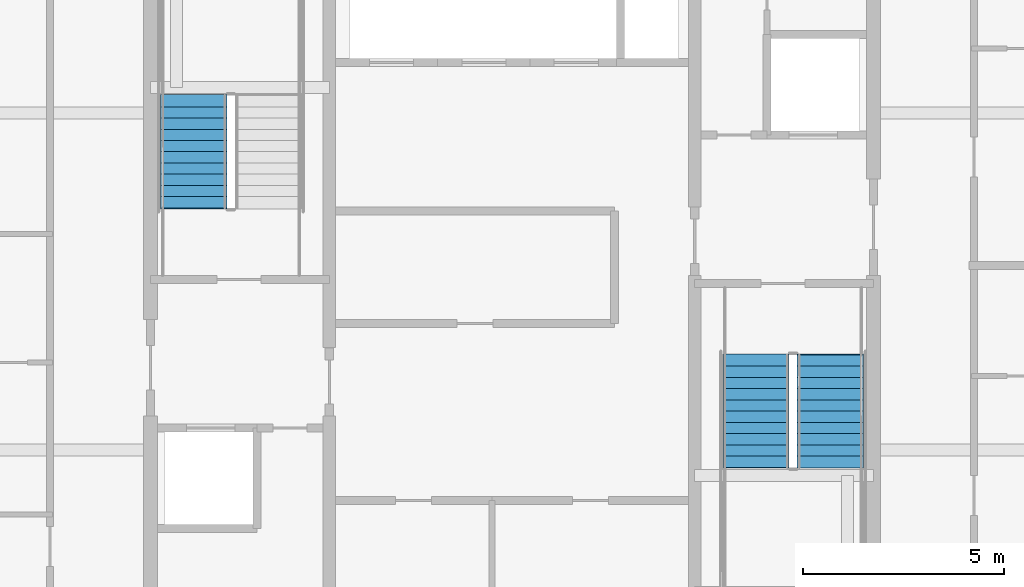
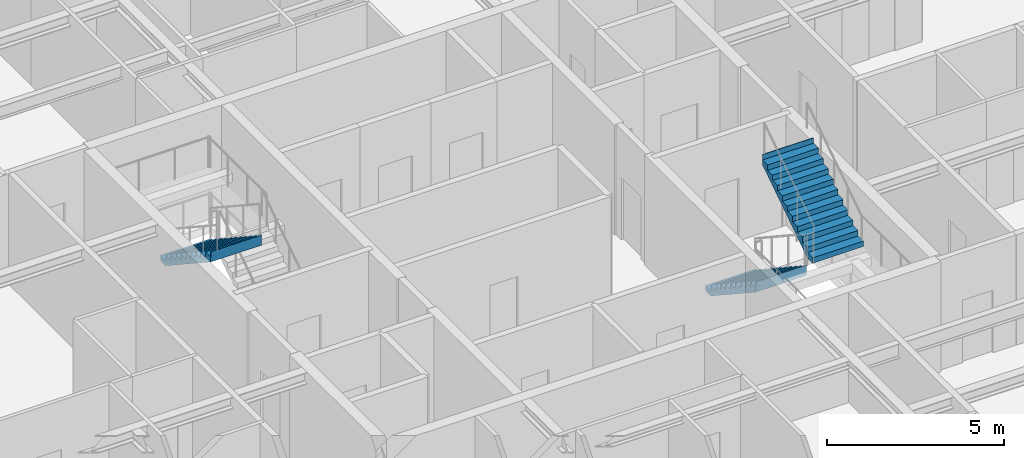
# One storey, part 36 of 42: 3 stair flights, 2 elements without a shape of their own.
"""IFC4 building model written with IfcOpenShell, lengths in metres."""

from ifc_helpers import new_model, si_unit, direction, frame, origin, place, context, subcontext, project, spatial, polygons, material, type_object, element, aggregate, save


model = new_model("IFC4")

# Units and contexts
model_context = context("Model", 3, precision=1e-05, world=origin(), true_north=direction((0.0, 1.0)))
body_context = subcontext(model_context, "Body", "Model", "MODEL_VIEW")
ifc_project = project(units=[si_unit("LENGTHUNIT", "METRE"), si_unit("AREAUNIT", "SQUARE_METRE"), si_unit("VOLUMEUNIT", "CUBIC_METRE"), si_unit("PLANEANGLEUNIT", "RADIAN"), si_unit("MASSUNIT", "GRAM", prefix="KILO")], contexts=[model_context])

# Site, building, storey
site_placement = place(None, origin())
site = spatial("IfcSite", under=ifc_project, at=site_placement, CompositionType="ELEMENT")
building_placement = place(site_placement, origin())
building = spatial("IfcBuilding", under=site, at=building_placement, Name="Serunith Strait Residences", CompositionType="ELEMENT")
storey_placement = place(building_placement, frame((0.0, 0.0, 309.64990234375)))
storey = spatial("IfcBuildingStorey", under=building, at=storey_placement, Name="L77", CompositionType="ELEMENT", Elevation=309.64990234375)

# Stair, stair flight
ifc_material = material(Name="Concrete C50/60", Category="concrete")
stair_type_1 = type_object("IfcStairType", Name="STR-CORE-1", PredefinedType="HALF_TURN_STAIR", material=ifc_material)
stair_1_placement = place(storey_placement, origin())
stair_1 = element("IfcStair", 1, at=stair_1_placement, inside=storey, type_object=stair_type_1, Name="L77 Protected Escape Stair ST-1", PredefinedType="HALF_TURN_STAIR")
stair_flight_type_1 = type_object("IfcStairFlightType", Name="FLT-CORE-1", PredefinedType="STRAIGHT", material=ifc_material)
stair_flight_1_placement = place(storey_placement, frame((24.47509765625, 29.830078125, 2.025146484375), z_axis=(0.0, 0.0, 1.0), x_axis=(0.0, -1.0, 0.0)))
stair_flight_1 = element("IfcStairFlight", 2, at=stair_flight_1_placement, type_object=stair_flight_type_1, Name="ST-1 flight 2", NumberOfRisers=11, NumberOfTreads=10, PredefinedType="STRAIGHT", RiserHeight=0.184090909, TreadLength=0.28, context=body_context, shape_type="Tessellation", body=[
    polygons([(-0.02001953125, -0.824951171875, 0.0), (-0.02001953125, -0.824951171875, 0.18408203125), (0.280029296875, -0.824951171875, 0.18408203125), (0.280029296875, -0.824951171875, 0.3681640625), (0.56005859375, -0.824951171875, 0.3681640625), (0.56005859375, -0.824951171875, 0.55224609375), (0.840087890625, -0.824951171875, 0.55224609375), (0.840087890625, -0.824951171875, 0.736328125), (1.1201171875, -0.824951171875, 0.736328125), (1.1201171875, -0.824951171875, 0.92041015625), (1.39990234375, -0.824951171875, 0.92041015625), (1.39990234375, -0.824951171875, 1.1044921875), (1.679931640625, -0.824951171875, 1.1044921875), (1.679931640625, -0.824951171875, 1.28857421875), (1.9599609375, -0.824951171875, 1.28857421875), (1.9599609375, -0.824951171875, 1.47265625), (2.239990234375, -0.824951171875, 1.47265625), (2.239990234375, -0.824951171875, 1.65673828125), (2.52001953125, -0.824951171875, 1.65673828125), (2.52001953125, -0.824951171875, 1.8408203125), (2.800048828125, -0.824951171875, 1.8408203125), (2.800048828125, -0.824951171875, 2.02490234375), (2.820068359375, -0.824951171875, 2.02490234375), (2.820068359375, -0.824951171875, 1.965087890625), (2.800048828125, -0.824951171875, 1.66162109375), (0.27294921875, -0.824951171875, 0.0), (-0.02001953125, -0.41259765625, 0.0), (-0.02001953125, -0.41259765625, 0.18408203125), (0.280029296875, -0.41259765625, 0.18408203125), (0.280029296875, -0.41259765625, 0.3681640625), (0.56005859375, -0.41259765625, 0.3681640625), (0.56005859375, -0.41259765625, 0.55224609375), (0.840087890625, -0.41259765625, 0.55224609375), (0.840087890625, -0.41259765625, 0.736328125), (1.1201171875, -0.41259765625, 0.736328125), (1.1201171875, -0.41259765625, 0.92041015625), (1.39990234375, -0.41259765625, 0.92041015625), (1.39990234375, -0.41259765625, 1.1044921875), (1.679931640625, -0.41259765625, 1.1044921875), (1.679931640625, -0.41259765625, 1.28857421875), (1.9599609375, -0.41259765625, 1.28857421875), (1.9599609375, -0.41259765625, 1.47265625), (2.239990234375, -0.41259765625, 1.47265625), (2.239990234375, -0.41259765625, 1.65673828125), (2.52001953125, -0.41259765625, 1.65673828125), (2.52001953125, -0.41259765625, 1.8408203125), (2.800048828125, -0.41259765625, 1.8408203125), (2.800048828125, -0.41259765625, 2.02490234375), (2.820068359375, -0.41259765625, 2.02490234375), (2.820068359375, -0.41259765625, 1.965087890625), (2.800048828125, -0.41259765625, 1.66162109375), (0.27294921875, -0.41259765625, 0.0), (-0.02001953125, 0.0, 0.0), (-0.02001953125, 0.0, 0.18408203125), (0.280029296875, 0.0, 0.18408203125), (0.280029296875, 0.0, 0.3681640625), (0.56005859375, 0.0, 0.3681640625), (0.56005859375, 0.0, 0.55224609375), (0.840087890625, 0.0, 0.55224609375), (0.840087890625, 0.0, 0.736328125), (1.1201171875, 0.0, 0.736328125), (1.1201171875, 0.0, 0.92041015625), (1.39990234375, 0.0, 0.92041015625), (1.39990234375, 0.0, 1.1044921875), (1.679931640625, 0.0, 1.1044921875), (1.679931640625, 0.0, 1.28857421875), (1.9599609375, 0.0, 1.28857421875), (1.9599609375, 0.0, 1.47265625), (2.239990234375, 0.0, 1.47265625), (2.239990234375, 0.0, 1.65673828125), (2.52001953125, 0.0, 1.65673828125), (2.52001953125, 0.0, 1.8408203125), (2.800048828125, 0.0, 1.8408203125), (2.800048828125, 0.0, 2.02490234375), (2.820068359375, 0.0, 2.02490234375), (2.820068359375, 0.0, 1.965087890625), (2.800048828125, 0.0, 1.66162109375), (0.27294921875, 0.0, 0.0), (-0.02001953125, 0.41259765625, 0.0), (-0.02001953125, 0.41259765625, 0.18408203125), (0.280029296875, 0.41259765625, 0.18408203125), (0.280029296875, 0.41259765625, 0.3681640625), (0.56005859375, 0.41259765625, 0.3681640625), (0.56005859375, 0.41259765625, 0.55224609375), (0.840087890625, 0.41259765625, 0.55224609375), (0.840087890625, 0.41259765625, 0.736328125), (1.1201171875, 0.41259765625, 0.736328125), (1.1201171875, 0.41259765625, 0.92041015625), (1.39990234375, 0.41259765625, 0.92041015625), (1.39990234375, 0.41259765625, 1.1044921875), (1.679931640625, 0.41259765625, 1.1044921875), (1.679931640625, 0.41259765625, 1.28857421875), (1.9599609375, 0.41259765625, 1.28857421875), (1.9599609375, 0.41259765625, 1.47265625), (2.239990234375, 0.41259765625, 1.47265625), (2.239990234375, 0.41259765625, 1.65673828125), (2.52001953125, 0.41259765625, 1.65673828125), (2.52001953125, 0.41259765625, 1.8408203125), (2.800048828125, 0.41259765625, 1.8408203125), (2.800048828125, 0.41259765625, 2.02490234375), (2.820068359375, 0.41259765625, 2.02490234375), (2.820068359375, 0.41259765625, 1.965087890625), (2.800048828125, 0.41259765625, 1.66162109375), (0.27294921875, 0.41259765625, 0.0), (-0.02001953125, 0.824951171875, 0.0), (-0.02001953125, 0.824951171875, 0.18408203125), (0.280029296875, 0.824951171875, 0.18408203125), (0.280029296875, 0.824951171875, 0.3681640625), (0.56005859375, 0.824951171875, 0.3681640625), (0.56005859375, 0.824951171875, 0.55224609375), (0.840087890625, 0.824951171875, 0.55224609375), (0.840087890625, 0.824951171875, 0.736328125), (1.1201171875, 0.824951171875, 0.736328125), (1.1201171875, 0.824951171875, 0.92041015625), (1.39990234375, 0.824951171875, 0.92041015625), (1.39990234375, 0.824951171875, 1.1044921875), (1.679931640625, 0.824951171875, 1.1044921875), (1.679931640625, 0.824951171875, 1.28857421875), (1.9599609375, 0.824951171875, 1.28857421875), (1.9599609375, 0.824951171875, 1.47265625), (2.239990234375, 0.824951171875, 1.47265625), (2.239990234375, 0.824951171875, 1.65673828125), (2.52001953125, 0.824951171875, 1.65673828125), (2.52001953125, 0.824951171875, 1.8408203125), (2.800048828125, 0.824951171875, 1.8408203125), (2.800048828125, 0.824951171875, 2.02490234375), (2.820068359375, 0.824951171875, 2.02490234375), (2.820068359375, 0.824951171875, 1.965087890625), (2.800048828125, 0.824951171875, 1.66162109375), (0.27294921875, 0.824951171875, 0.0)], [[[1, 2, 28, 27]], [[2, 3, 29, 28]], [[3, 4, 30, 29]], [[4, 5, 31, 30]], [[5, 6, 32, 31]], [[6, 7, 33, 32]], [[7, 8, 34, 33]], [[8, 9, 35, 34]], [[9, 10, 36, 35]], [[10, 11, 37, 36]], [[11, 12, 38, 37]], [[12, 13, 39, 38]], [[13, 14, 40, 39]], [[14, 15, 41, 40]], [[15, 16, 42, 41]], [[16, 17, 43, 42]], [[17, 18, 44, 43]], [[18, 19, 45, 44]], [[19, 20, 46, 45]], [[20, 21, 47, 46]], [[21, 22, 48, 47]], [[22, 23, 49, 48]], [[23, 24, 50, 49]], [[24, 25, 51, 50]], [[25, 26, 52, 51]], [[26, 1, 27, 52]], [[27, 28, 54, 53]], [[28, 29, 55, 54]], [[29, 30, 56, 55]], [[30, 31, 57, 56]], [[31, 32, 58, 57]], [[32, 33, 59, 58]], [[33, 34, 60, 59]], [[34, 35, 61, 60]], [[35, 36, 62, 61]], [[36, 37, 63, 62]], [[37, 38, 64, 63]], [[38, 39, 65, 64]], [[39, 40, 66, 65]], [[40, 41, 67, 66]], [[41, 42, 68, 67]], [[42, 43, 69, 68]], [[43, 44, 70, 69]], [[44, 45, 71, 70]], [[45, 46, 72, 71]], [[46, 47, 73, 72]], [[47, 48, 74, 73]], [[48, 49, 75, 74]], [[49, 50, 76, 75]], [[50, 51, 77, 76]], [[51, 52, 78, 77]], [[52, 27, 53, 78]], [[53, 54, 80, 79]], [[54, 55, 81, 80]], [[55, 56, 82, 81]], [[56, 57, 83, 82]], [[57, 58, 84, 83]], [[58, 59, 85, 84]], [[59, 60, 86, 85]], [[60, 61, 87, 86]], [[61, 62, 88, 87]], [[62, 63, 89, 88]], [[63, 64, 90, 89]], [[64, 65, 91, 90]], [[65, 66, 92, 91]], [[66, 67, 93, 92]], [[67, 68, 94, 93]], [[68, 69, 95, 94]], [[69, 70, 96, 95]], [[70, 71, 97, 96]], [[71, 72, 98, 97]], [[72, 73, 99, 98]], [[73, 74, 100, 99]], [[74, 75, 101, 100]], [[75, 76, 102, 101]], [[76, 77, 103, 102]], [[77, 78, 104, 103]], [[78, 53, 79, 104]], [[79, 80, 106, 105]], [[80, 81, 107, 106]], [[81, 82, 108, 107]], [[82, 83, 109, 108]], [[83, 84, 110, 109]], [[84, 85, 111, 110]], [[85, 86, 112, 111]], [[86, 87, 113, 112]], [[87, 88, 114, 113]], [[88, 89, 115, 114]], [[89, 90, 116, 115]], [[90, 91, 117, 116]], [[91, 92, 118, 117]], [[92, 93, 119, 118]], [[93, 94, 120, 119]], [[94, 95, 121, 120]], [[95, 96, 122, 121]], [[96, 97, 123, 122]], [[97, 98, 124, 123]], [[98, 99, 125, 124]], [[99, 100, 126, 125]], [[100, 101, 127, 126]], [[101, 102, 128, 127]], [[102, 103, 129, 128]], [[103, 104, 130, 129]], [[104, 79, 105, 130]], [[26, 25, 24, 23, 22, 21, 20, 19, 18, 17, 16, 15, 14, 13, 12, 11, 10, 9, 8, 7, 6, 5, 4, 3, 2, 1]], [[105, 106, 107, 108, 109, 110, 111, 112, 113, 114, 115, 116, 117, 118, 119, 120, 121, 122, 123, 124, 125, 126, 127, 128, 129, 130]]], closed=True),
])
aggregate(stair_1, [stair_flight_1])

# Stair, stair flights
stair_type_2 = type_object("IfcStairType", Name="STR-CORE-2", PredefinedType="HALF_TURN_STAIR", material=ifc_material)
stair_2_placement = place(storey_placement, origin())
stair_2 = element("IfcStair", 3, at=stair_2_placement, inside=storey, type_object=stair_type_2, Name="L77 Protected Escape Stair ST-2", PredefinedType="HALF_TURN_STAIR")
stair_flight_type_2 = type_object("IfcStairFlightType", Name="FLT-CORE-2", PredefinedType="STRAIGHT", material=ifc_material)
stair_flight_2_placement = place(storey_placement, frame((38.47509765625, 23.3701171875, 0.0), z_axis=(0.0, 0.0, 1.0), x_axis=(0.0, -1.0, 0.0)))
stair_flight_2 = element("IfcStairFlight", 4, at=stair_flight_2_placement, type_object=stair_flight_type_2, Name="ST-2 flight 1", NumberOfRisers=11, NumberOfTreads=10, PredefinedType="STRAIGHT", RiserHeight=0.184090909, TreadLength=0.28, context=body_context, shape_type="Tessellation", body=[
    polygons([(-0.02001953125, -0.824951171875, 0.0), (-0.02001953125, -0.824951171875, 0.18408203125), (0.280029296875, -0.824951171875, 0.18408203125), (0.280029296875, -0.824951171875, 0.3681640625), (0.56005859375, -0.824951171875, 0.3681640625), (0.56005859375, -0.824951171875, 0.55224609375), (0.840087890625, -0.824951171875, 0.55224609375), (0.840087890625, -0.824951171875, 0.736328125), (1.1201171875, -0.824951171875, 0.736328125), (1.1201171875, -0.824951171875, 0.92041015625), (1.39990234375, -0.824951171875, 0.92041015625), (1.39990234375, -0.824951171875, 1.1044921875), (1.679931640625, -0.824951171875, 1.1044921875), (1.679931640625, -0.824951171875, 1.28857421875), (1.9599609375, -0.824951171875, 1.28857421875), (1.9599609375, -0.824951171875, 1.47265625), (2.239990234375, -0.824951171875, 1.47265625), (2.239990234375, -0.824951171875, 1.65673828125), (2.52001953125, -0.824951171875, 1.65673828125), (2.52001953125, -0.824951171875, 1.8408203125), (2.800048828125, -0.824951171875, 1.8408203125), (2.800048828125, -0.824951171875, 2.02490234375), (2.820068359375, -0.824951171875, 2.02490234375), (2.820068359375, -0.824951171875, 1.965087890625), (2.800048828125, -0.824951171875, 1.66162109375), (0.27294921875, -0.824951171875, 0.0), (-0.02001953125, -0.41259765625, 0.0), (-0.02001953125, -0.41259765625, 0.18408203125), (0.280029296875, -0.41259765625, 0.18408203125), (0.280029296875, -0.41259765625, 0.3681640625), (0.56005859375, -0.41259765625, 0.3681640625), (0.56005859375, -0.41259765625, 0.55224609375), (0.840087890625, -0.41259765625, 0.55224609375), (0.840087890625, -0.41259765625, 0.736328125), (1.1201171875, -0.41259765625, 0.736328125), (1.1201171875, -0.41259765625, 0.92041015625), (1.39990234375, -0.41259765625, 0.92041015625), (1.39990234375, -0.41259765625, 1.1044921875), (1.679931640625, -0.41259765625, 1.1044921875), (1.679931640625, -0.41259765625, 1.28857421875), (1.9599609375, -0.41259765625, 1.28857421875), (1.9599609375, -0.41259765625, 1.47265625), (2.239990234375, -0.41259765625, 1.47265625), (2.239990234375, -0.41259765625, 1.65673828125), (2.52001953125, -0.41259765625, 1.65673828125), (2.52001953125, -0.41259765625, 1.8408203125), (2.800048828125, -0.41259765625, 1.8408203125), (2.800048828125, -0.41259765625, 2.02490234375), (2.820068359375, -0.41259765625, 2.02490234375), (2.820068359375, -0.41259765625, 1.965087890625), (2.800048828125, -0.41259765625, 1.66162109375), (0.27294921875, -0.41259765625, 0.0), (-0.02001953125, 0.0, 0.0), (-0.02001953125, 0.0, 0.18408203125), (0.280029296875, 0.0, 0.18408203125), (0.280029296875, 0.0, 0.3681640625), (0.56005859375, 0.0, 0.3681640625), (0.56005859375, 0.0, 0.55224609375), (0.840087890625, 0.0, 0.55224609375), (0.840087890625, 0.0, 0.736328125), (1.1201171875, 0.0, 0.736328125), (1.1201171875, 0.0, 0.92041015625), (1.39990234375, 0.0, 0.92041015625), (1.39990234375, 0.0, 1.1044921875), (1.679931640625, 0.0, 1.1044921875), (1.679931640625, 0.0, 1.28857421875), (1.9599609375, 0.0, 1.28857421875), (1.9599609375, 0.0, 1.47265625), (2.239990234375, 0.0, 1.47265625), (2.239990234375, 0.0, 1.65673828125), (2.52001953125, 0.0, 1.65673828125), (2.52001953125, 0.0, 1.8408203125), (2.800048828125, 0.0, 1.8408203125), (2.800048828125, 0.0, 2.02490234375), (2.820068359375, 0.0, 2.02490234375), (2.820068359375, 0.0, 1.965087890625), (2.800048828125, 0.0, 1.66162109375), (0.27294921875, 0.0, 0.0), (-0.02001953125, 0.41259765625, 0.0), (-0.02001953125, 0.41259765625, 0.18408203125), (0.280029296875, 0.41259765625, 0.18408203125), (0.280029296875, 0.41259765625, 0.3681640625), (0.56005859375, 0.41259765625, 0.3681640625), (0.56005859375, 0.41259765625, 0.55224609375), (0.840087890625, 0.41259765625, 0.55224609375), (0.840087890625, 0.41259765625, 0.736328125), (1.1201171875, 0.41259765625, 0.736328125), (1.1201171875, 0.41259765625, 0.92041015625), (1.39990234375, 0.41259765625, 0.92041015625), (1.39990234375, 0.41259765625, 1.1044921875), (1.679931640625, 0.41259765625, 1.1044921875), (1.679931640625, 0.41259765625, 1.28857421875), (1.9599609375, 0.41259765625, 1.28857421875), (1.9599609375, 0.41259765625, 1.47265625), (2.239990234375, 0.41259765625, 1.47265625), (2.239990234375, 0.41259765625, 1.65673828125), (2.52001953125, 0.41259765625, 1.65673828125), (2.52001953125, 0.41259765625, 1.8408203125), (2.800048828125, 0.41259765625, 1.8408203125), (2.800048828125, 0.41259765625, 2.02490234375), (2.820068359375, 0.41259765625, 2.02490234375), (2.820068359375, 0.41259765625, 1.965087890625), (2.800048828125, 0.41259765625, 1.66162109375), (0.27294921875, 0.41259765625, 0.0), (-0.02001953125, 0.824951171875, 0.0), (-0.02001953125, 0.824951171875, 0.18408203125), (0.280029296875, 0.824951171875, 0.18408203125), (0.280029296875, 0.824951171875, 0.3681640625), (0.56005859375, 0.824951171875, 0.3681640625), (0.56005859375, 0.824951171875, 0.55224609375), (0.840087890625, 0.824951171875, 0.55224609375), (0.840087890625, 0.824951171875, 0.736328125), (1.1201171875, 0.824951171875, 0.736328125), (1.1201171875, 0.824951171875, 0.92041015625), (1.39990234375, 0.824951171875, 0.92041015625), (1.39990234375, 0.824951171875, 1.1044921875), (1.679931640625, 0.824951171875, 1.1044921875), (1.679931640625, 0.824951171875, 1.28857421875), (1.9599609375, 0.824951171875, 1.28857421875), (1.9599609375, 0.824951171875, 1.47265625), (2.239990234375, 0.824951171875, 1.47265625), (2.239990234375, 0.824951171875, 1.65673828125), (2.52001953125, 0.824951171875, 1.65673828125), (2.52001953125, 0.824951171875, 1.8408203125), (2.800048828125, 0.824951171875, 1.8408203125), (2.800048828125, 0.824951171875, 2.02490234375), (2.820068359375, 0.824951171875, 2.02490234375), (2.820068359375, 0.824951171875, 1.965087890625), (2.800048828125, 0.824951171875, 1.66162109375), (0.27294921875, 0.824951171875, 0.0)], [[[1, 2, 28, 27]], [[2, 3, 29, 28]], [[3, 4, 30, 29]], [[4, 5, 31, 30]], [[5, 6, 32, 31]], [[6, 7, 33, 32]], [[7, 8, 34, 33]], [[8, 9, 35, 34]], [[9, 10, 36, 35]], [[10, 11, 37, 36]], [[11, 12, 38, 37]], [[12, 13, 39, 38]], [[13, 14, 40, 39]], [[14, 15, 41, 40]], [[15, 16, 42, 41]], [[16, 17, 43, 42]], [[17, 18, 44, 43]], [[18, 19, 45, 44]], [[19, 20, 46, 45]], [[20, 21, 47, 46]], [[21, 22, 48, 47]], [[22, 23, 49, 48]], [[23, 24, 50, 49]], [[24, 25, 51, 50]], [[25, 26, 52, 51]], [[26, 1, 27, 52]], [[27, 28, 54, 53]], [[28, 29, 55, 54]], [[29, 30, 56, 55]], [[30, 31, 57, 56]], [[31, 32, 58, 57]], [[32, 33, 59, 58]], [[33, 34, 60, 59]], [[34, 35, 61, 60]], [[35, 36, 62, 61]], [[36, 37, 63, 62]], [[37, 38, 64, 63]], [[38, 39, 65, 64]], [[39, 40, 66, 65]], [[40, 41, 67, 66]], [[41, 42, 68, 67]], [[42, 43, 69, 68]], [[43, 44, 70, 69]], [[44, 45, 71, 70]], [[45, 46, 72, 71]], [[46, 47, 73, 72]], [[47, 48, 74, 73]], [[48, 49, 75, 74]], [[49, 50, 76, 75]], [[50, 51, 77, 76]], [[51, 52, 78, 77]], [[52, 27, 53, 78]], [[53, 54, 80, 79]], [[54, 55, 81, 80]], [[55, 56, 82, 81]], [[56, 57, 83, 82]], [[57, 58, 84, 83]], [[58, 59, 85, 84]], [[59, 60, 86, 85]], [[60, 61, 87, 86]], [[61, 62, 88, 87]], [[62, 63, 89, 88]], [[63, 64, 90, 89]], [[64, 65, 91, 90]], [[65, 66, 92, 91]], [[66, 67, 93, 92]], [[67, 68, 94, 93]], [[68, 69, 95, 94]], [[69, 70, 96, 95]], [[70, 71, 97, 96]], [[71, 72, 98, 97]], [[72, 73, 99, 98]], [[73, 74, 100, 99]], [[74, 75, 101, 100]], [[75, 76, 102, 101]], [[76, 77, 103, 102]], [[77, 78, 104, 103]], [[78, 53, 79, 104]], [[79, 80, 106, 105]], [[80, 81, 107, 106]], [[81, 82, 108, 107]], [[82, 83, 109, 108]], [[83, 84, 110, 109]], [[84, 85, 111, 110]], [[85, 86, 112, 111]], [[86, 87, 113, 112]], [[87, 88, 114, 113]], [[88, 89, 115, 114]], [[89, 90, 116, 115]], [[90, 91, 117, 116]], [[91, 92, 118, 117]], [[92, 93, 119, 118]], [[93, 94, 120, 119]], [[94, 95, 121, 120]], [[95, 96, 122, 121]], [[96, 97, 123, 122]], [[97, 98, 124, 123]], [[98, 99, 125, 124]], [[99, 100, 126, 125]], [[100, 101, 127, 126]], [[101, 102, 128, 127]], [[102, 103, 129, 128]], [[103, 104, 130, 129]], [[104, 79, 105, 130]], [[26, 25, 24, 23, 22, 21, 20, 19, 18, 17, 16, 15, 14, 13, 12, 11, 10, 9, 8, 7, 6, 5, 4, 3, 2, 1]], [[105, 106, 107, 108, 109, 110, 111, 112, 113, 114, 115, 116, 117, 118, 119, 120, 121, 122, 123, 124, 125, 126, 127, 128, 129, 130]]], closed=True),
])
stair_flight_3_placement = place(storey_placement, frame((40.324951171875, 20.570068359375, 2.025146484375), z_axis=(0.0, 0.0, 1.0), x_axis=(0.0, 1.0, 0.0)))
stair_flight_3 = element("IfcStairFlight", 5, at=stair_flight_3_placement, type_object=stair_flight_type_2, Name="ST-2 flight 2", NumberOfRisers=11, NumberOfTreads=10, PredefinedType="STRAIGHT", RiserHeight=0.184090909, TreadLength=0.28, context=body_context, shape_type="Tessellation", body=[
    polygons([(-0.02001953125, -0.824951171875, 0.0), (-0.02001953125, -0.824951171875, 0.18408203125), (0.280029296875, -0.824951171875, 0.18408203125), (0.280029296875, -0.824951171875, 0.3681640625), (0.56005859375, -0.824951171875, 0.3681640625), (0.56005859375, -0.824951171875, 0.55224609375), (0.840087890625, -0.824951171875, 0.55224609375), (0.840087890625, -0.824951171875, 0.736328125), (1.1201171875, -0.824951171875, 0.736328125), (1.1201171875, -0.824951171875, 0.92041015625), (1.39990234375, -0.824951171875, 0.92041015625), (1.39990234375, -0.824951171875, 1.1044921875), (1.679931640625, -0.824951171875, 1.1044921875), (1.679931640625, -0.824951171875, 1.28857421875), (1.9599609375, -0.824951171875, 1.28857421875), (1.9599609375, -0.824951171875, 1.47265625), (2.239990234375, -0.824951171875, 1.47265625), (2.239990234375, -0.824951171875, 1.65673828125), (2.52001953125, -0.824951171875, 1.65673828125), (2.52001953125, -0.824951171875, 1.8408203125), (2.800048828125, -0.824951171875, 1.8408203125), (2.800048828125, -0.824951171875, 2.02490234375), (2.820068359375, -0.824951171875, 2.02490234375), (2.820068359375, -0.824951171875, 1.965087890625), (2.800048828125, -0.824951171875, 1.66162109375), (0.27294921875, -0.824951171875, 0.0), (-0.02001953125, -0.41259765625, 0.0), (-0.02001953125, -0.41259765625, 0.18408203125), (0.280029296875, -0.41259765625, 0.18408203125), (0.280029296875, -0.41259765625, 0.3681640625), (0.56005859375, -0.41259765625, 0.3681640625), (0.56005859375, -0.41259765625, 0.55224609375), (0.840087890625, -0.41259765625, 0.55224609375), (0.840087890625, -0.41259765625, 0.736328125), (1.1201171875, -0.41259765625, 0.736328125), (1.1201171875, -0.41259765625, 0.92041015625), (1.39990234375, -0.41259765625, 0.92041015625), (1.39990234375, -0.41259765625, 1.1044921875), (1.679931640625, -0.41259765625, 1.1044921875), (1.679931640625, -0.41259765625, 1.28857421875), (1.9599609375, -0.41259765625, 1.28857421875), (1.9599609375, -0.41259765625, 1.47265625), (2.239990234375, -0.41259765625, 1.47265625), (2.239990234375, -0.41259765625, 1.65673828125), (2.52001953125, -0.41259765625, 1.65673828125), (2.52001953125, -0.41259765625, 1.8408203125), (2.800048828125, -0.41259765625, 1.8408203125), (2.800048828125, -0.41259765625, 2.02490234375), (2.820068359375, -0.41259765625, 2.02490234375), (2.820068359375, -0.41259765625, 1.965087890625), (2.800048828125, -0.41259765625, 1.66162109375), (0.27294921875, -0.41259765625, 0.0), (-0.02001953125, 0.0, 0.0), (-0.02001953125, 0.0, 0.18408203125), (0.280029296875, 0.0, 0.18408203125), (0.280029296875, 0.0, 0.3681640625), (0.56005859375, 0.0, 0.3681640625), (0.56005859375, 0.0, 0.55224609375), (0.840087890625, 0.0, 0.55224609375), (0.840087890625, 0.0, 0.736328125), (1.1201171875, 0.0, 0.736328125), (1.1201171875, 0.0, 0.92041015625), (1.39990234375, 0.0, 0.92041015625), (1.39990234375, 0.0, 1.1044921875), (1.679931640625, 0.0, 1.1044921875), (1.679931640625, 0.0, 1.28857421875), (1.9599609375, 0.0, 1.28857421875), (1.9599609375, 0.0, 1.47265625), (2.239990234375, 0.0, 1.47265625), (2.239990234375, 0.0, 1.65673828125), (2.52001953125, 0.0, 1.65673828125), (2.52001953125, 0.0, 1.8408203125), (2.800048828125, 0.0, 1.8408203125), (2.800048828125, 0.0, 2.02490234375), (2.820068359375, 0.0, 2.02490234375), (2.820068359375, 0.0, 1.965087890625), (2.800048828125, 0.0, 1.66162109375), (0.27294921875, 0.0, 0.0), (-0.02001953125, 0.41259765625, 0.0), (-0.02001953125, 0.41259765625, 0.18408203125), (0.280029296875, 0.41259765625, 0.18408203125), (0.280029296875, 0.41259765625, 0.3681640625), (0.56005859375, 0.41259765625, 0.3681640625), (0.56005859375, 0.41259765625, 0.55224609375), (0.840087890625, 0.41259765625, 0.55224609375), (0.840087890625, 0.41259765625, 0.736328125), (1.1201171875, 0.41259765625, 0.736328125), (1.1201171875, 0.41259765625, 0.92041015625), (1.39990234375, 0.41259765625, 0.92041015625), (1.39990234375, 0.41259765625, 1.1044921875), (1.679931640625, 0.41259765625, 1.1044921875), (1.679931640625, 0.41259765625, 1.28857421875), (1.9599609375, 0.41259765625, 1.28857421875), (1.9599609375, 0.41259765625, 1.47265625), (2.239990234375, 0.41259765625, 1.47265625), (2.239990234375, 0.41259765625, 1.65673828125), (2.52001953125, 0.41259765625, 1.65673828125), (2.52001953125, 0.41259765625, 1.8408203125), (2.800048828125, 0.41259765625, 1.8408203125), (2.800048828125, 0.41259765625, 2.02490234375), (2.820068359375, 0.41259765625, 2.02490234375), (2.820068359375, 0.41259765625, 1.965087890625), (2.800048828125, 0.41259765625, 1.66162109375), (0.27294921875, 0.41259765625, 0.0), (-0.02001953125, 0.824951171875, 0.0), (-0.02001953125, 0.824951171875, 0.18408203125), (0.280029296875, 0.824951171875, 0.18408203125), (0.280029296875, 0.824951171875, 0.3681640625), (0.56005859375, 0.824951171875, 0.3681640625), (0.56005859375, 0.824951171875, 0.55224609375), (0.840087890625, 0.824951171875, 0.55224609375), (0.840087890625, 0.824951171875, 0.736328125), (1.1201171875, 0.824951171875, 0.736328125), (1.1201171875, 0.824951171875, 0.92041015625), (1.39990234375, 0.824951171875, 0.92041015625), (1.39990234375, 0.824951171875, 1.1044921875), (1.679931640625, 0.824951171875, 1.1044921875), (1.679931640625, 0.824951171875, 1.28857421875), (1.9599609375, 0.824951171875, 1.28857421875), (1.9599609375, 0.824951171875, 1.47265625), (2.239990234375, 0.824951171875, 1.47265625), (2.239990234375, 0.824951171875, 1.65673828125), (2.52001953125, 0.824951171875, 1.65673828125), (2.52001953125, 0.824951171875, 1.8408203125), (2.800048828125, 0.824951171875, 1.8408203125), (2.800048828125, 0.824951171875, 2.02490234375), (2.820068359375, 0.824951171875, 2.02490234375), (2.820068359375, 0.824951171875, 1.965087890625), (2.800048828125, 0.824951171875, 1.66162109375), (0.27294921875, 0.824951171875, 0.0)], [[[1, 2, 28, 27]], [[2, 3, 29, 28]], [[3, 4, 30, 29]], [[4, 5, 31, 30]], [[5, 6, 32, 31]], [[6, 7, 33, 32]], [[7, 8, 34, 33]], [[8, 9, 35, 34]], [[9, 10, 36, 35]], [[10, 11, 37, 36]], [[11, 12, 38, 37]], [[12, 13, 39, 38]], [[13, 14, 40, 39]], [[14, 15, 41, 40]], [[15, 16, 42, 41]], [[16, 17, 43, 42]], [[17, 18, 44, 43]], [[18, 19, 45, 44]], [[19, 20, 46, 45]], [[20, 21, 47, 46]], [[21, 22, 48, 47]], [[22, 23, 49, 48]], [[23, 24, 50, 49]], [[24, 25, 51, 50]], [[25, 26, 52, 51]], [[26, 1, 27, 52]], [[27, 28, 54, 53]], [[28, 29, 55, 54]], [[29, 30, 56, 55]], [[30, 31, 57, 56]], [[31, 32, 58, 57]], [[32, 33, 59, 58]], [[33, 34, 60, 59]], [[34, 35, 61, 60]], [[35, 36, 62, 61]], [[36, 37, 63, 62]], [[37, 38, 64, 63]], [[38, 39, 65, 64]], [[39, 40, 66, 65]], [[40, 41, 67, 66]], [[41, 42, 68, 67]], [[42, 43, 69, 68]], [[43, 44, 70, 69]], [[44, 45, 71, 70]], [[45, 46, 72, 71]], [[46, 47, 73, 72]], [[47, 48, 74, 73]], [[48, 49, 75, 74]], [[49, 50, 76, 75]], [[50, 51, 77, 76]], [[51, 52, 78, 77]], [[52, 27, 53, 78]], [[53, 54, 80, 79]], [[54, 55, 81, 80]], [[55, 56, 82, 81]], [[56, 57, 83, 82]], [[57, 58, 84, 83]], [[58, 59, 85, 84]], [[59, 60, 86, 85]], [[60, 61, 87, 86]], [[61, 62, 88, 87]], [[62, 63, 89, 88]], [[63, 64, 90, 89]], [[64, 65, 91, 90]], [[65, 66, 92, 91]], [[66, 67, 93, 92]], [[67, 68, 94, 93]], [[68, 69, 95, 94]], [[69, 70, 96, 95]], [[70, 71, 97, 96]], [[71, 72, 98, 97]], [[72, 73, 99, 98]], [[73, 74, 100, 99]], [[74, 75, 101, 100]], [[75, 76, 102, 101]], [[76, 77, 103, 102]], [[77, 78, 104, 103]], [[78, 53, 79, 104]], [[79, 80, 106, 105]], [[80, 81, 107, 106]], [[81, 82, 108, 107]], [[82, 83, 109, 108]], [[83, 84, 110, 109]], [[84, 85, 111, 110]], [[85, 86, 112, 111]], [[86, 87, 113, 112]], [[87, 88, 114, 113]], [[88, 89, 115, 114]], [[89, 90, 116, 115]], [[90, 91, 117, 116]], [[91, 92, 118, 117]], [[92, 93, 119, 118]], [[93, 94, 120, 119]], [[94, 95, 121, 120]], [[95, 96, 122, 121]], [[96, 97, 123, 122]], [[97, 98, 124, 123]], [[98, 99, 125, 124]], [[99, 100, 126, 125]], [[100, 101, 127, 126]], [[101, 102, 128, 127]], [[102, 103, 129, 128]], [[103, 104, 130, 129]], [[104, 79, 105, 130]], [[26, 25, 24, 23, 22, 21, 20, 19, 18, 17, 16, 15, 14, 13, 12, 11, 10, 9, 8, 7, 6, 5, 4, 3, 2, 1]], [[105, 106, 107, 108, 109, 110, 111, 112, 113, 114, 115, 116, 117, 118, 119, 120, 121, 122, 123, 124, 125, 126, 127, 128, 129, 130]]], closed=True),
])
aggregate(stair_2, [stair_flight_2, stair_flight_3])

save(model, "model.ifc")
